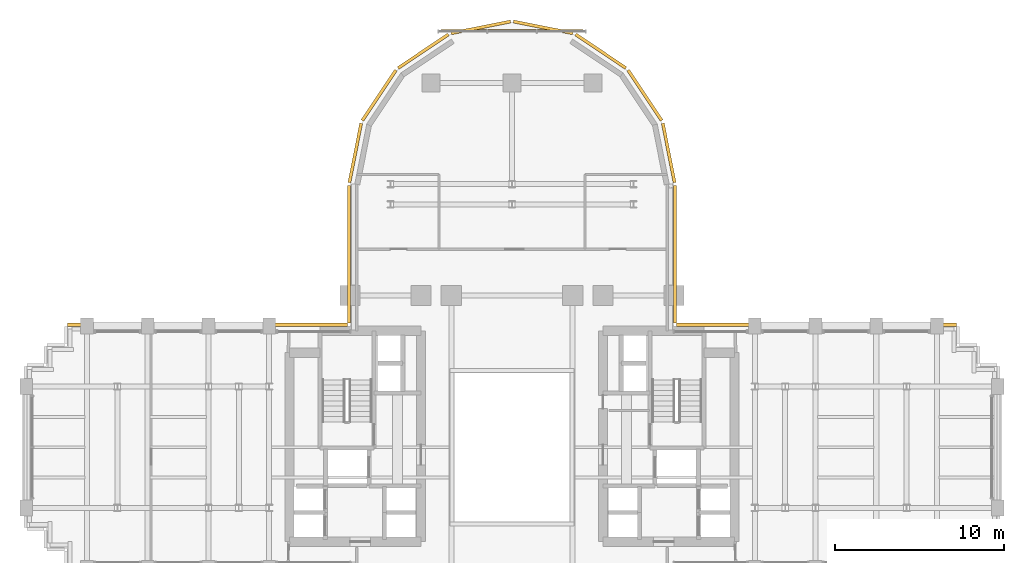
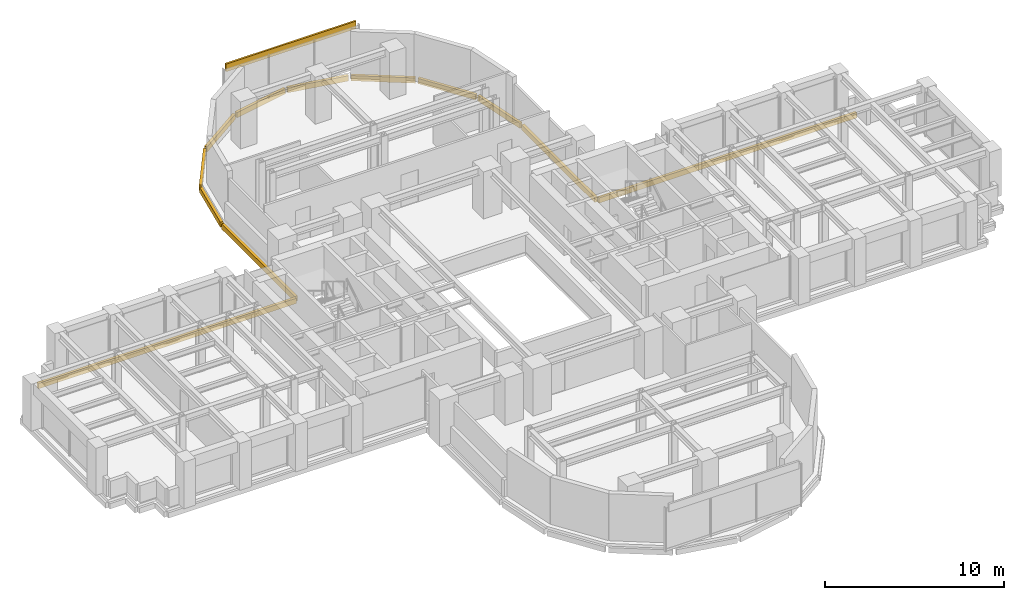
# One storey, part 16 of 16: 13 coverings.
"""IFC4 building model written with IfcOpenShell, lengths in metres."""

from ifc_helpers import new_model, si_unit, direction, frame, origin, origin_2d, place, context, subcontext, project, spatial, rectangle, extrude, source, transform, mapped, material, layer, layer_set, type_object, element, save


model = new_model("IFC4")

# Units and contexts
model_context = context("Model", 3, precision=1e-05, world=origin(), true_north=direction((0.0, 1.0)))
body_context = subcontext(model_context, "Body", "Model", "MODEL_VIEW")
ifc_project = project(units=[si_unit("LENGTHUNIT", "METRE"), si_unit("AREAUNIT", "SQUARE_METRE"), si_unit("VOLUMEUNIT", "CUBIC_METRE"), si_unit("PLANEANGLEUNIT", "RADIAN"), si_unit("MASSUNIT", "GRAM", prefix="KILO")], contexts=[model_context])

# Site, building, storey
site_placement = place(None, origin())
site = spatial("IfcSite", under=ifc_project, at=site_placement, CompositionType="ELEMENT")
building_placement = place(site_placement, origin())
building = spatial("IfcBuilding", under=site, at=building_placement, Name="Keilestroom Media Tower", CompositionType="ELEMENT")
storey_placement = place(building_placement, frame((0.0, 0.0, 68.0)))
storey = spatial("IfcBuildingStorey", under=building, at=storey_placement, Name="L17", CompositionType="ELEMENT", Elevation=68.0)

# Coverings
ifc_material = material(Name="Precast concrete C40/50", Category="concrete")
ifc_layer = layer(ifc_material, 0.1201171875)
ifc_layer_set = layer_set([ifc_layer], Name="Precast concrete C40/50")
covering_type = type_object("IfcCoveringType", Name="Exterior-Precast-Spandrel-Cladding-Panel-120", PredefinedType="CLADDING", material=ifc_layer_set)
shared_shape_1 = source(origin(), body_context, "Body", "SweptSolid", [
    extrude(rectangle(XDim=8.39990234375, YDim=0.1201171875, at=origin_2d()), origin(), (0.0, 0.0, 1.0), 0.52001953125),
])
covering_placement = place(storey_placement, frame((0.0, 24.719970703125, 2.68994140625), z_axis=(0.0, 0.0, 1.0), x_axis=(1.0, 0.0, 0.0)))
element("IfcCovering", 1, at=covering_placement, inside=storey, type_object=covering_type, Name="L17 Precast Spandrel Cladding N", PredefinedType="CLADDING", context=body_context, shape_type="MappedRepresentation", body=[
    mapped(shared_shape_1, transform((0.0, 0.0, 0.0), x_axis=(1.0, 0.0, 0.0), y_axis=(0.0, 1.0, 0.0), z_axis=(0.0, 0.0, 1.0), scale=1.0)),
])
shared_shape_2 = source(origin(), body_context, "Body", "SweptSolid", [
    extrude(rectangle(XDim=16.6201171875, YDim=0.179931640625, at=origin_2d()), origin(), (0.0, 0.0, 1.0), 0.360107421875),
])
for number, where, z_axis, x_axis, name in (
    (2, (-18.06005859375, 7.260009765625, -0.5400390625), (0.0, 0.0, 1.0), (1.0, 0.0, 0.0), "L17 Precast Slab-Edge Fascia Cornice 26"),
    (3, (18.06005859375, 7.260009765625, -0.5400390625), (0.0, 0.0, 1.0), (1.0, 0.0, 0.0), "L17 Precast Slab-Edge Fascia Cornice 37"),
):
    element("IfcCovering", number, at=place(storey_placement, frame(where, z_axis=z_axis, x_axis=x_axis)), inside=storey, type_object=covering_type, Name=name, PredefinedType="CLADDING", context=body_context, shape_type="MappedRepresentation", body=[
        mapped(shared_shape_2, transform((0.0, 0.0, 0.0), x_axis=(1.0, 0.0, 0.0), y_axis=(0.0, 1.0, 0.0), z_axis=(0.0, 0.0, 1.0), scale=1.0)),
    ])
shared_shape_3 = source(origin(), body_context, "Body", "SweptSolid", [
    extrude(rectangle(XDim=8.166015625, YDim=0.179931640625, at=origin_2d()), origin(), (0.0, 0.0, 1.0), 0.360107421875),
])
for number, where, z_axis, x_axis, name in (
    (4, (-9.659912109375, 11.43310546875, -0.5400390625), (0.0, 0.0, 1.0), (0.0, 1.0, 0.0), "L17 Precast Slab-Edge Fascia Cornice 27"),
    (5, (9.659912109375, 11.43310546875, -0.5400390625), (0.0, 0.0, 1.0), (0.0, -1.0, 0.0), "L17 Precast Slab-Edge Fascia Cornice 36"),
):
    element("IfcCovering", number, at=place(storey_placement, frame(where, z_axis=z_axis, x_axis=x_axis)), inside=storey, type_object=covering_type, Name=name, PredefinedType="CLADDING", context=body_context, shape_type="MappedRepresentation", body=[
        mapped(shared_shape_3, transform((0.0, 0.0, 0.0), x_axis=(1.0, 0.0, 0.0), y_axis=(0.0, 1.0, 0.0), z_axis=(0.0, 0.0, 1.0), scale=1.0)),
    ])
shared_shape_4 = source(origin(), body_context, "Body", "SweptSolid", [
    extrude(rectangle(XDim=3.58349609375, YDim=0.179931640625, at=origin_2d()), origin(), (0.0, 0.0, 1.0), 0.360107421875),
])
for number, where, z_axis, x_axis, name in (
    (6, (-9.29296875, 17.45166015625, -0.5400390625), (0.0, 0.0, 1.0), (0.195098880975, 0.980783577882, 0.0), "L17 Precast Slab-Edge Fascia Cornice 28"),
    (7, (9.29296875, 17.45166015625, -0.5400390625), (0.0, 0.0, 1.0), (0.195098880975, -0.980783577882, 0.0), "L17 Precast Slab-Edge Fascia Cornice 35"),
):
    element("IfcCovering", number, at=place(storey_placement, frame(where, z_axis=z_axis, x_axis=x_axis)), inside=storey, type_object=covering_type, Name=name, PredefinedType="CLADDING", context=body_context, shape_type="MappedRepresentation", body=[
        mapped(shared_shape_4, transform((0.0, 0.0, 0.0), x_axis=(1.0, 0.0, 0.0), y_axis=(0.0, 1.0, 0.0), z_axis=(0.0, 0.0, 1.0), scale=1.0)),
    ])
shared_shape_5 = source(origin(), body_context, "Body", "SweptSolid", [
    extrude(rectangle(XDim=3.589599609375, YDim=0.179931640625, at=origin_2d()), origin(), (0.0, 0.0, 1.0), 0.360107421875),
])
for number, where, z_axis, x_axis, name in (
    (8, (-7.878662109375, 20.8642578125, -0.5400390625), (0.0, 0.0, 1.0), (0.555574586577, 0.831466703332, 0.0), "L17 Precast Slab-Edge Fascia Cornice 29"),
    (9, (-5.264404296875, 23.478515625, -0.5400390625), (0.0, 0.0, 1.0), (0.831466703332, 0.555574586577, 0.0), "L17 Precast Slab-Edge Fascia Cornice 30"),
    (10, (-1.8486328125, 24.893310546875, -0.5400390625), (0.0, 0.0, 1.0), (0.980783577882, 0.195098880975, 0.0), "L17 Precast Slab-Edge Fascia Cornice 31"),
    (11, (1.8486328125, 24.893310546875, -0.5400390625), (0.0, 0.0, 1.0), (0.980783577882, -0.195098880975, 0.0), "L17 Precast Slab-Edge Fascia Cornice 32"),
    (12, (5.264404296875, 23.478515625, -0.5400390625), (0.0, 0.0, 1.0), (0.831466703332, -0.555574586577, 0.0), "L17 Precast Slab-Edge Fascia Cornice 33"),
    (13, (7.878662109375, 20.8642578125, -0.5400390625), (0.0, 0.0, 1.0), (0.555574586577, -0.831466703332, 0.0), "L17 Precast Slab-Edge Fascia Cornice 34"),
):
    element("IfcCovering", number, at=place(storey_placement, frame(where, z_axis=z_axis, x_axis=x_axis)), inside=storey, type_object=covering_type, Name=name, PredefinedType="CLADDING", context=body_context, shape_type="MappedRepresentation", body=[
        mapped(shared_shape_5, transform((0.0, 0.0, 0.0), x_axis=(1.0, 0.0, 0.0), y_axis=(0.0, 1.0, 0.0), z_axis=(0.0, 0.0, 1.0), scale=1.0)),
    ])

save(model, "model.ifc")
